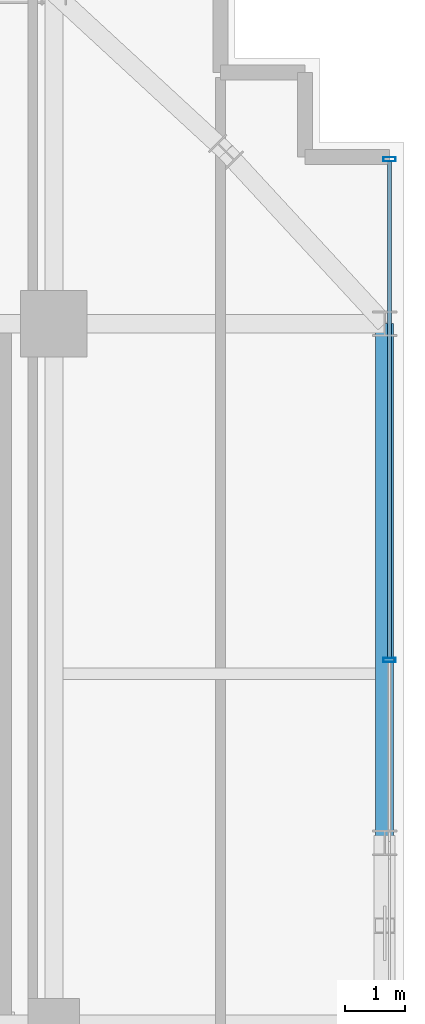
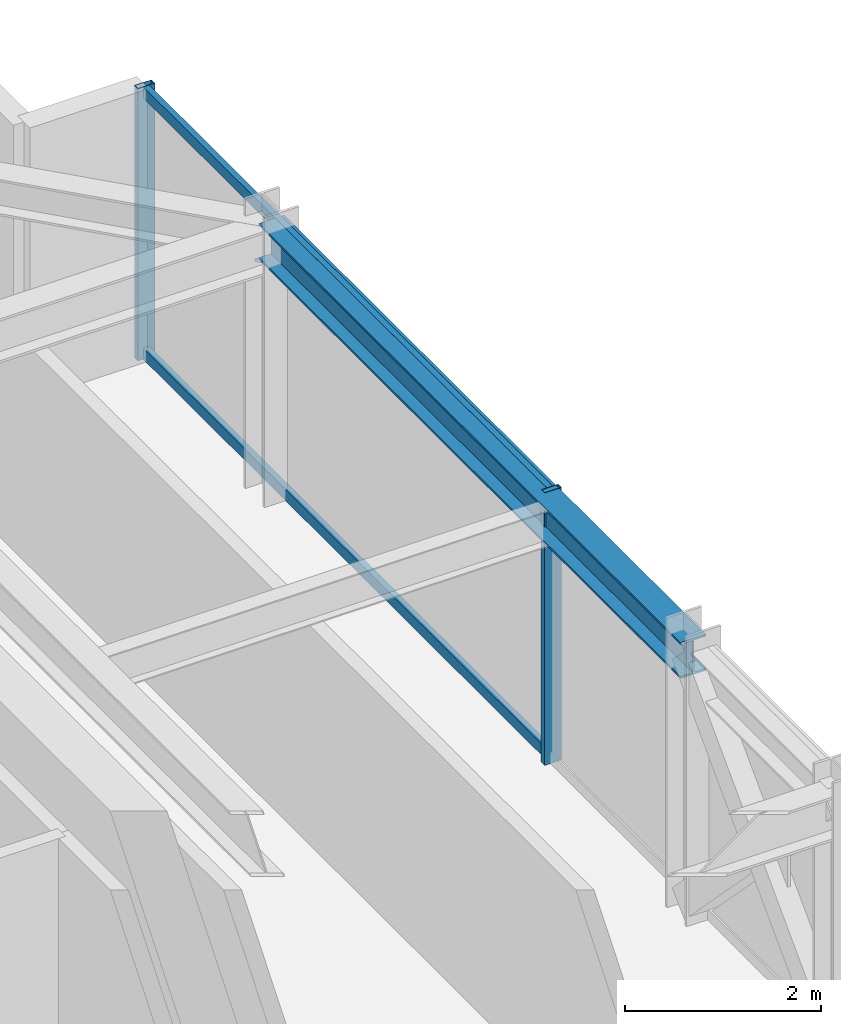
# One storey, part 28 of 37: 4 members, 1 beam, 1 element without a shape of its own.
"""IFC4 building model written with IfcOpenShell, lengths in metres."""

import ifcopenshell
import ifcopenshell.guid

model = None  # the IFC model being written
_history = None  # IfcOwnerHistory: only IFC2X3 demands one
_inside = {}  # id of a spatial element -> (the spatial element, [elements in it])
_under = {}  # id of a project, library or spatial element -> (it, [spatial elements below it])
_declared = {}  # id of a project -> (the project, [libraries it declares])
_typed = {}  # id of a type object -> (the type object, [elements of that type])
_made_of = {}  # id of a material, layer set ... -> (it, [elements and type objects made of it])


def new_model(schema):
    """Start an empty IFC model of exactly this schema.

    Asked for "IFC4X3", IfcOpenShell would pick the latest addendum, in which some entities
    have other attributes; the version numbers below select the first issue.
    IFC2X3 requires an IfcOwnerHistory on every rooted entity: one is made here for all.
    """
    global model, _history
    if schema == "IFC4X3":
        model = ifcopenshell.file(schema_version=(4, 3, 0, 0))
    else:
        model = ifcopenshell.file(schema=schema)
    _inside.clear()
    _under.clear()
    _declared.clear()
    _typed.clear()
    _made_of.clear()
    _history = None
    if model.schema == "IFC2X3":
        org = make("IfcOrganization", Name="unknown")
        user = make(
            "IfcPersonAndOrganization",
            ThePerson=make("IfcPerson", FamilyName="unknown"),
            TheOrganization=org,
        )
        app = make(
            "IfcApplication",
            ApplicationDeveloper=org,
            Version="unknown",
            ApplicationFullName="unknown",
            ApplicationIdentifier="unknown",
        )
        _history = make(
            "IfcOwnerHistory",
            OwningUser=user,
            OwningApplication=app,
            ChangeAction="ADDED",
            CreationDate=0,
        )
    return model


def make(cls, **values):
    """One entity of the class cls with the attributes given. An attribute that is None is left unset."""
    return model.create_entity(
        cls, **{name: value for name, value in values.items() if value is not None}
    )


def rooted(cls, **values):
    """An entity with a GlobalId (a new one), such as an element, a storey or a relation."""
    return make(cls, GlobalId=ifcopenshell.guid.new(), OwnerHistory=_history, **values)


def si_unit(unit_type, name, prefix=None):
    """IfcSIUnit, for example si_unit("LENGTHUNIT", "METRE", prefix="MILLI")."""
    return make("IfcSIUnit", UnitType=unit_type, Prefix=prefix, Name=name)


def assignment(units):
    """IfcUnitAssignment: the units of a project."""
    return None if units is None else make("IfcUnitAssignment", Units=units)


def point(xyz):
    """IfcCartesianPoint."""
    return None if xyz is None else make("IfcCartesianPoint", Coordinates=xyz)


def direction(xyz):
    """IfcDirection."""
    return None if xyz is None else make("IfcDirection", DirectionRatios=xyz)


def frame(location, z_axis=None, x_axis=None):
    """IfcAxis2Placement3D, a coordinate frame: its origin and axes. An axis left out is left unset."""
    return make(
        "IfcAxis2Placement3D",
        Location=point(location),
        Axis=direction(z_axis),
        RefDirection=direction(x_axis),
    )


def frame_2d(location, x_axis=None):
    """IfcAxis2Placement2D, a coordinate frame in the plane: its origin and x axis."""
    return make(
        "IfcAxis2Placement2D", Location=point(location), RefDirection=direction(x_axis)
    )


def origin():
    """The frame at (0, 0, 0) with its axes left unset."""
    return frame((0.0, 0.0, 0.0))


def origin_2d():
    """The frame at (0, 0) in the plane with its x axis left unset."""
    return frame_2d((0.0, 0.0))


def place(relative_to, where):
    """IfcLocalPlacement: puts the frame where relative to a parent placement (None: the world)."""
    return make(
        "IfcLocalPlacement", PlacementRelTo=relative_to, RelativePlacement=where
    )


def context(
    kind, dimensions, precision=None, world=None, true_north=None, identifier=None
):
    """IfcGeometricRepresentationContext, for example the 3D "Model" context."""
    return make(
        "IfcGeometricRepresentationContext",
        ContextIdentifier=identifier,
        ContextType=kind,
        CoordinateSpaceDimension=dimensions,
        Precision=precision,
        WorldCoordinateSystem=world,
        TrueNorth=true_north,
    )


def subcontext(parent, identifier, kind, view, scale=None):
    """IfcGeometricRepresentationSubContext, for example "Body" below "Model"."""
    return make(
        "IfcGeometricRepresentationSubContext",
        ContextIdentifier=identifier,
        ContextType=kind,
        ParentContext=parent,
        TargetScale=scale,
        TargetView=view,
    )


def project(units=None, contexts=None):
    """IfcProject with its units and contexts."""
    return rooted(
        "IfcProject",
        Name="project",
        RepresentationContexts=contexts,
        UnitsInContext=assignment(units),
    )


def spatial(cls, under=None, at=None, **own):
    """A site, building, storey or space (cls), placed at a placement, below another one or the project."""
    s = rooted(cls, ObjectPlacement=at, **own)
    if under is not None:
        _under.setdefault(under.id(), (under, []))[1].append(s)
    return s


def profile(cls, at=None, kind="AREA", **sizes):
    """A parametric profile (cls). Its sizes go by their IFC names, for example OverallWidth=200.0."""
    return make(cls, ProfileType=kind, Position=at, **sizes)


def hollow_rectangle(**sizes):
    """IfcRectangleHollowProfileDef."""
    return profile("IfcRectangleHollowProfileDef", **sizes)


def i_section(**sizes):
    """IfcIShapeProfileDef."""
    return profile("IfcIShapeProfileDef", **sizes)


def extrude(swept, where, along, depth):
    """IfcExtrudedAreaSolid: the profile swept, set in the frame where, extruded along a direction by depth."""
    return make(
        "IfcExtrudedAreaSolid",
        SweptArea=swept,
        Position=where,
        ExtrudedDirection=direction(along),
        Depth=depth,
    )


def shape(context_of_items, identifier, shape_type, items):
    """IfcShapeRepresentation: the items that make up one representation, for example the "Body"."""
    return make(
        "IfcShapeRepresentation",
        ContextOfItems=context_of_items,
        RepresentationIdentifier=identifier,
        RepresentationType=shape_type,
        Items=items,
    )


def source(mapping_origin, context_of_items, identifier, shape_type, items):
    """IfcRepresentationMap: a shape defined once, which mapped items show again and again."""
    return make(
        "IfcRepresentationMap",
        MappingOrigin=mapping_origin,
        MappedRepresentation=shape(context_of_items, identifier, shape_type, items),
    )


def transform(
    local_origin,
    x_axis=None,
    y_axis=None,
    z_axis=None,
    scale=None,
    scale2=None,
    scale3=None,
    uniform=True,
):
    """IfcCartesianTransformationOperator3D, or its non-uniform kind. x_axis, y_axis, z_axis: its Axis1, 2, 3."""
    if uniform:
        return make(
            "IfcCartesianTransformationOperator3D",
            Axis1=direction(x_axis),
            Axis2=direction(y_axis),
            LocalOrigin=point(local_origin),
            Scale=scale,
            Axis3=direction(z_axis),
        )
    return make(
        "IfcCartesianTransformationOperator3DnonUniform",
        Axis1=direction(x_axis),
        Axis2=direction(y_axis),
        LocalOrigin=point(local_origin),
        Scale=scale,
        Axis3=direction(z_axis),
        Scale2=scale2,
        Scale3=scale3,
    )


def mapped(mapping_source, mapping_target):
    """IfcMappedItem: shows the shape of a source again, moved by a transform."""
    return make(
        "IfcMappedItem", MappingSource=mapping_source, MappingTarget=mapping_target
    )


def material(Name=None, Category=None):
    """IfcMaterial."""
    return make("IfcMaterial", Name=Name, Category=Category)


def material_profile(
    of_material, cross_section, Name=None, Category=None, Priority=None
):
    """IfcMaterialProfile: a cross section and its material."""
    return make(
        "IfcMaterialProfile",
        Name=Name,
        Material=of_material,
        Profile=cross_section,
        Priority=Priority,
        Category=Category,
    )


def profile_set(profiles, Name=None, composite=None):
    """IfcMaterialProfileSet."""
    return make(
        "IfcMaterialProfileSet",
        Name=Name,
        MaterialProfiles=profiles,
        CompositeProfile=composite,
    )


def made_of(thing, what):
    """Note that an element or type object is made of a material, layer set ...; save() writes the relation."""
    if what is not None:
        _made_of.setdefault(what.id(), (what, []))[1].append(thing)
    return thing


def type_object(cls, material=None, **own):
    """A type object (cls), such as IfcWallType, which elements share."""
    return made_of(rooted(cls, **own), material)


def element(
    cls,
    number,
    at=None,
    inside=None,
    cuts=None,
    type_object=None,
    material=None,
    context=None,
    identifier="Body",
    shape_type=None,
    held_by="IfcProductDefinitionShape",
    body=None,
    shapes=None,
    **own,
):
    """One element of the class cls, such as IfcWall. Its Tag is "e" and its number.

    at: its placement. inside: the storey or other place that contains it. cuts: it is an
    opening in that element (IfcRelVoidsElement). A single representation is given by context,
    identifier, shape_type and body (its items); several are given by shapes. held_by: the class
    of the entity that holds the representations. save() writes the other relations.
    """
    e = rooted(cls, Tag="e%d" % number, ObjectPlacement=at, **own)
    if body is not None:
        shapes = [shape(context, identifier, shape_type, body)]
    if shapes is not None:
        e.Representation = make(held_by, Representations=shapes)
    if inside is not None:
        _inside.setdefault(inside.id(), (inside, []))[1].append(e)
    if cuts is not None:
        rooted(
            "IfcRelVoidsElement", RelatingBuildingElement=cuts, RelatedOpeningElement=e
        )
    if type_object is not None:
        _typed.setdefault(type_object.id(), (type_object, []))[1].append(e)
    return made_of(e, material)


def aggregate(whole, parts):
    """IfcRelAggregates: a whole, such as a stair, and the parts it consists of."""
    return rooted("IfcRelAggregates", RelatingObject=whole, RelatedObjects=parts)


def save(model, path):
    """Write the relations noted so far, then the file.

    IfcRelAggregates (storeys below a building ...), IfcRelContainedInSpatialStructure (elements
    in a storey), IfcRelDefinesByType, IfcRelAssociatesMaterial and IfcRelDeclares: one each for
    every whole, place, type object, material and project.
    """
    for whole, parts in _under.values():
        aggregate(whole, parts)
    for where, things in _inside.values():
        rooted(
            "IfcRelContainedInSpatialStructure",
            RelatedElements=things,
            RelatingStructure=where,
        )
    for kind, things in _typed.values():
        rooted("IfcRelDefinesByType", RelatedObjects=things, RelatingType=kind)
    for what, things in _made_of.values():
        rooted("IfcRelAssociatesMaterial", RelatedObjects=things, RelatingMaterial=what)
    for by, libraries in _declared.values():
        rooted("IfcRelDeclares", RelatingContext=by, RelatedDefinitions=libraries)
    model.write(path)


model = new_model("IFC4")

# Units and contexts
model_context = context("Model", 3, precision=1e-05, world=origin(), true_north=direction((0.0, 1.0)))
body_context = subcontext(model_context, "Body", "Model", "MODEL_VIEW")
ifc_project = project(units=[si_unit("LENGTHUNIT", "METRE"), si_unit("AREAUNIT", "SQUARE_METRE"), si_unit("VOLUMEUNIT", "CUBIC_METRE"), si_unit("PLANEANGLEUNIT", "RADIAN"), si_unit("MASSUNIT", "GRAM", prefix="KILO")], contexts=[model_context])

# Site, building, storey
site_placement = place(None, origin())
site = spatial("IfcSite", under=ifc_project, at=site_placement, CompositionType="ELEMENT")
building_placement = place(site_placement, origin())
building = spatial("IfcBuilding", under=site, at=building_placement, Name="Nahalor Promenade Grand Hotel", CompositionType="ELEMENT")
storey_placement = place(building_placement, frame((0.0, 0.0, 167.25)))
storey = spatial("IfcBuildingStorey", under=building, at=storey_placement, Name="L42", CompositionType="ELEMENT", Elevation=167.25)

# Beam
ifc_material_1 = material(Name="Steel S355JR", Category="steel")
ifc_material_profile_1 = material_profile(ifc_material_1, i_section(OverallWidth=0.3, OverallDepth=0.45, WebThickness=0.014, FlangeThickness=0.026, at=origin_2d()), Name="HEB 450")
ifc_profile_set_1 = profile_set([ifc_material_profile_1], Name="Steel S355JR")
beam_type = type_object("IfcBeamType", Name="Beam-Spandrel-HEB450", PredefinedType="SPANDREL", material=ifc_profile_set_1)
shared_shape_1 = source(origin(), body_context, "Body", "SweptSolid", [
    extrude(i_section(OverallWidth=0.3, OverallDepth=0.45, WebThickness=0.014, FlangeThickness=0.026, at=origin_2d()), origin(), (0.0, 0.0, 1.0), 8.60009765625),
])
beam_placement = place(storey_placement, frame((22.47998046875, 8.39990234375, 3.1650390625), z_axis=(0.0, 1.0, 0.0), x_axis=(-1.0, 0.0, 0.0)))
element("IfcBeam", 1, at=beam_placement, inside=storey, type_object=beam_type, Name="BM-L42-SP-E-4", PredefinedType="SPANDREL", context=body_context, shape_type="MappedRepresentation", body=[
    mapped(shared_shape_1, transform((0.0, 0.0, 0.0), scale=1.0)),
])

# Curtain wall, members
ifc_material_2 = material(Name="Anodised Bronze Aluminium EN AW-6063 T6", Category="aluminium")
curtain_wall_type = type_object("IfcCurtainWallType", Name="CW3 Elliptical-Void Collar Unitised Curtain Wall", PredefinedType="USERDEFINED", material=ifc_material_2)
curtain_wall_placement = place(storey_placement, origin())
curtain_wall = element("IfcCurtainWall", 2, at=curtain_wall_placement, inside=storey, type_object=curtain_wall_type, Name="L42 Curtain Wall CW-L42-E-2", ObjectType="UNITISED_CURTAIN_WALL", PredefinedType="USERDEFINED")
ifc_material_profile_2 = material_profile(ifc_material_2, hollow_rectangle(XDim=0.07, YDim=0.2, WallThickness=0.005, at=origin_2d()), Name="CWM 70x200x5")
ifc_profile_set_2 = profile_set([ifc_material_profile_2], Name="Anodised Bronze Aluminium EN AW-6063 T6")
member_type_1 = type_object("IfcMemberType", Name="CWM3 Void Collar Mullion 70x200", PredefinedType="MULLION", material=ifc_profile_set_2)
shared_shape_2 = source(origin(), body_context, "Body", "SweptSolid", [
    extrude(hollow_rectangle(XDim=0.07, YDim=0.2, WallThickness=0.005, at=origin_2d()), origin(), (0.0, 0.0, 1.0), 3.389892578125),
])
member_1_placement = place(storey_placement, frame((22.56005859375, 11.429931640625, 0.0), z_axis=(0.0, 0.0, 1.0), x_axis=(0.0, 1.0, 0.0)))
member_1 = element("IfcMember", 3, at=member_1_placement, type_object=member_type_1, Name="CW-L42-E-2 Mullion 1", PredefinedType="MULLION", context=body_context, shape_type="MappedRepresentation", body=[
    mapped(shared_shape_2, transform((0.0, 0.0, 0.0), scale=1.0)),
])
member_2_placement = place(storey_placement, frame((22.56005859375, 19.72509765625, 0.0), z_axis=(0.0, 0.0, 1.0), x_axis=(0.0, 1.0, 0.0)))
member_2 = element("IfcMember", 4, at=member_2_placement, type_object=member_type_1, Name="CW-L42-E-2 Mullion 2", PredefinedType="MULLION", context=body_context, shape_type="MappedRepresentation", body=[
    mapped(shared_shape_2, transform((0.0, 0.0, 0.0), scale=1.0)),
])
ifc_material_profile_3 = material_profile(ifc_material_2, hollow_rectangle(XDim=0.07, YDim=0.14, WallThickness=0.004, at=origin_2d()), Name="CWT 70x140x4")
ifc_profile_set_3 = profile_set([ifc_material_profile_3], Name="Anodised Bronze Aluminium EN AW-6063 T6")
member_type_2 = type_object("IfcMemberType", Name="CWT3 Void Collar Transom 70x140", PredefinedType="USERDEFINED", material=ifc_profile_set_3)
shared_shape_3 = source(origin(), body_context, "Body", "SweptSolid", [
    extrude(hollow_rectangle(XDim=0.07, YDim=0.14, WallThickness=0.004, at=origin_2d()), origin(), (0.0, 0.0, 1.0), 8.224853515625),
])
member_3_placement = place(storey_placement, frame((22.56005859375, 11.465087890625, 0.070068359375), z_axis=(0.0, 1.0, 0.0), x_axis=(-1.0, 0.0, 0.0)))
member_3 = element("IfcMember", 5, at=member_3_placement, type_object=member_type_2, Name="CW-L42-E-2 Transom 1-0", ObjectType="TRANSOM", PredefinedType="USERDEFINED", context=body_context, shape_type="MappedRepresentation", body=[
    mapped(shared_shape_3, transform((0.0, 0.0, 0.0), scale=1.0)),
])
member_4_placement = place(storey_placement, frame((22.56005859375, 11.465087890625, 3.320068359375), z_axis=(0.0, 1.0, 0.0), x_axis=(-1.0, 0.0, 0.0)))
member_4 = element("IfcMember", 6, at=member_4_placement, type_object=member_type_2, Name="CW-L42-E-2 Transom 1-1", ObjectType="TRANSOM", PredefinedType="USERDEFINED", context=body_context, shape_type="MappedRepresentation", body=[
    mapped(shared_shape_3, transform((0.0, 0.0, 0.0), scale=1.0)),
])
aggregate(curtain_wall, [member_1, member_2, member_3, member_4])

save(model, "model.ifc")
